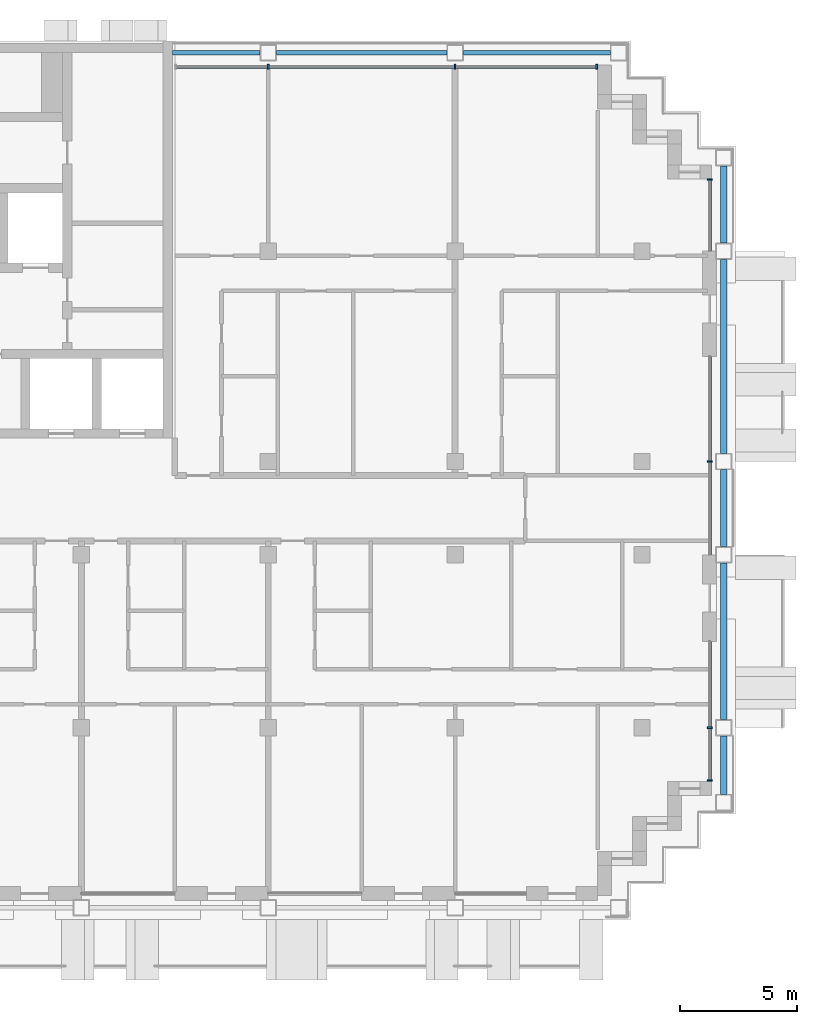
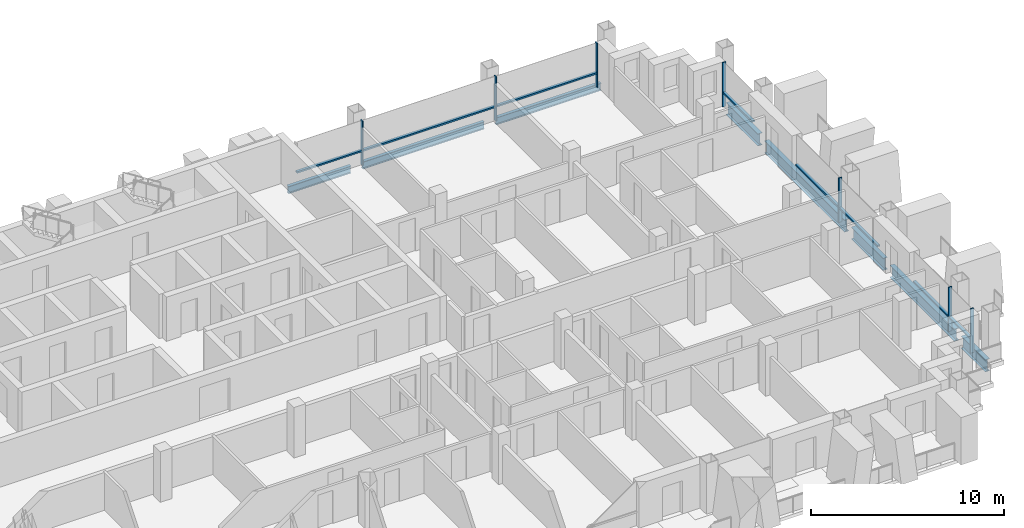
# One storey, part 5 of 16: 15 members, 8 beams, 4 elements without a shape of their own.
"""IFC4 building model written with IfcOpenShell, lengths in metres."""

import ifcopenshell
import ifcopenshell.guid

model = None  # the IFC model being written
_history = None  # IfcOwnerHistory: only IFC2X3 demands one
_inside = {}  # id of a spatial element -> (the spatial element, [elements in it])
_under = {}  # id of a project, library or spatial element -> (it, [spatial elements below it])
_declared = {}  # id of a project -> (the project, [libraries it declares])
_typed = {}  # id of a type object -> (the type object, [elements of that type])
_made_of = {}  # id of a material, layer set ... -> (it, [elements and type objects made of it])


def new_model(schema):
    """Start an empty IFC model of exactly this schema.

    Asked for "IFC4X3", IfcOpenShell would pick the latest addendum, in which some entities
    have other attributes; the version numbers below select the first issue.
    IFC2X3 requires an IfcOwnerHistory on every rooted entity: one is made here for all.
    """
    global model, _history
    if schema == "IFC4X3":
        model = ifcopenshell.file(schema_version=(4, 3, 0, 0))
    else:
        model = ifcopenshell.file(schema=schema)
    _inside.clear()
    _under.clear()
    _declared.clear()
    _typed.clear()
    _made_of.clear()
    _history = None
    if model.schema == "IFC2X3":
        org = make("IfcOrganization", Name="unknown")
        user = make(
            "IfcPersonAndOrganization",
            ThePerson=make("IfcPerson", FamilyName="unknown"),
            TheOrganization=org,
        )
        app = make(
            "IfcApplication",
            ApplicationDeveloper=org,
            Version="unknown",
            ApplicationFullName="unknown",
            ApplicationIdentifier="unknown",
        )
        _history = make(
            "IfcOwnerHistory",
            OwningUser=user,
            OwningApplication=app,
            ChangeAction="ADDED",
            CreationDate=0,
        )
    return model


def make(cls, **values):
    """One entity of the class cls with the attributes given. An attribute that is None is left unset."""
    return model.create_entity(
        cls, **{name: value for name, value in values.items() if value is not None}
    )


def rooted(cls, **values):
    """An entity with a GlobalId (a new one), such as an element, a storey or a relation."""
    return make(cls, GlobalId=ifcopenshell.guid.new(), OwnerHistory=_history, **values)


def si_unit(unit_type, name, prefix=None):
    """IfcSIUnit, for example si_unit("LENGTHUNIT", "METRE", prefix="MILLI")."""
    return make("IfcSIUnit", UnitType=unit_type, Prefix=prefix, Name=name)


def assignment(units):
    """IfcUnitAssignment: the units of a project."""
    return None if units is None else make("IfcUnitAssignment", Units=units)


def point(xyz):
    """IfcCartesianPoint."""
    return None if xyz is None else make("IfcCartesianPoint", Coordinates=xyz)


def direction(xyz):
    """IfcDirection."""
    return None if xyz is None else make("IfcDirection", DirectionRatios=xyz)


def frame(location, z_axis=None, x_axis=None):
    """IfcAxis2Placement3D, a coordinate frame: its origin and axes. An axis left out is left unset."""
    return make(
        "IfcAxis2Placement3D",
        Location=point(location),
        Axis=direction(z_axis),
        RefDirection=direction(x_axis),
    )


def frame_2d(location, x_axis=None):
    """IfcAxis2Placement2D, a coordinate frame in the plane: its origin and x axis."""
    return make(
        "IfcAxis2Placement2D", Location=point(location), RefDirection=direction(x_axis)
    )


def origin():
    """The frame at (0, 0, 0) with its axes left unset."""
    return frame((0.0, 0.0, 0.0))


def origin_2d():
    """The frame at (0, 0) in the plane with its x axis left unset."""
    return frame_2d((0.0, 0.0))


def place(relative_to, where):
    """IfcLocalPlacement: puts the frame where relative to a parent placement (None: the world)."""
    return make(
        "IfcLocalPlacement", PlacementRelTo=relative_to, RelativePlacement=where
    )


def context(
    kind, dimensions, precision=None, world=None, true_north=None, identifier=None
):
    """IfcGeometricRepresentationContext, for example the 3D "Model" context."""
    return make(
        "IfcGeometricRepresentationContext",
        ContextIdentifier=identifier,
        ContextType=kind,
        CoordinateSpaceDimension=dimensions,
        Precision=precision,
        WorldCoordinateSystem=world,
        TrueNorth=true_north,
    )


def subcontext(parent, identifier, kind, view, scale=None):
    """IfcGeometricRepresentationSubContext, for example "Body" below "Model"."""
    return make(
        "IfcGeometricRepresentationSubContext",
        ContextIdentifier=identifier,
        ContextType=kind,
        ParentContext=parent,
        TargetScale=scale,
        TargetView=view,
    )


def project(units=None, contexts=None):
    """IfcProject with its units and contexts."""
    return rooted(
        "IfcProject",
        Name="project",
        RepresentationContexts=contexts,
        UnitsInContext=assignment(units),
    )


def spatial(cls, under=None, at=None, **own):
    """A site, building, storey or space (cls), placed at a placement, below another one or the project."""
    s = rooted(cls, ObjectPlacement=at, **own)
    if under is not None:
        _under.setdefault(under.id(), (under, []))[1].append(s)
    return s


def profile(cls, at=None, kind="AREA", **sizes):
    """A parametric profile (cls). Its sizes go by their IFC names, for example OverallWidth=200.0."""
    return make(cls, ProfileType=kind, Position=at, **sizes)


def rectangle(**sizes):
    """IfcRectangleProfileDef."""
    return profile("IfcRectangleProfileDef", **sizes)


def i_section(**sizes):
    """IfcIShapeProfileDef."""
    return profile("IfcIShapeProfileDef", **sizes)


def extrude(swept, where, along, depth):
    """IfcExtrudedAreaSolid: the profile swept, set in the frame where, extruded along a direction by depth."""
    return make(
        "IfcExtrudedAreaSolid",
        SweptArea=swept,
        Position=where,
        ExtrudedDirection=direction(along),
        Depth=depth,
    )


def shape(context_of_items, identifier, shape_type, items):
    """IfcShapeRepresentation: the items that make up one representation, for example the "Body"."""
    return make(
        "IfcShapeRepresentation",
        ContextOfItems=context_of_items,
        RepresentationIdentifier=identifier,
        RepresentationType=shape_type,
        Items=items,
    )


def material(Name=None, Category=None):
    """IfcMaterial."""
    return make("IfcMaterial", Name=Name, Category=Category)


def material_profile(
    of_material, cross_section, Name=None, Category=None, Priority=None
):
    """IfcMaterialProfile: a cross section and its material."""
    return make(
        "IfcMaterialProfile",
        Name=Name,
        Material=of_material,
        Profile=cross_section,
        Priority=Priority,
        Category=Category,
    )


def profile_set(profiles, Name=None, composite=None):
    """IfcMaterialProfileSet."""
    return make(
        "IfcMaterialProfileSet",
        Name=Name,
        MaterialProfiles=profiles,
        CompositeProfile=composite,
    )


def made_of(thing, what):
    """Note that an element or type object is made of a material, layer set ...; save() writes the relation."""
    if what is not None:
        _made_of.setdefault(what.id(), (what, []))[1].append(thing)
    return thing


def type_object(cls, material=None, **own):
    """A type object (cls), such as IfcWallType, which elements share."""
    return made_of(rooted(cls, **own), material)


def element(
    cls,
    number,
    at=None,
    inside=None,
    cuts=None,
    type_object=None,
    material=None,
    context=None,
    identifier="Body",
    shape_type=None,
    held_by="IfcProductDefinitionShape",
    body=None,
    shapes=None,
    **own,
):
    """One element of the class cls, such as IfcWall. Its Tag is "e" and its number.

    at: its placement. inside: the storey or other place that contains it. cuts: it is an
    opening in that element (IfcRelVoidsElement). A single representation is given by context,
    identifier, shape_type and body (its items); several are given by shapes. held_by: the class
    of the entity that holds the representations. save() writes the other relations.
    """
    e = rooted(cls, Tag="e%d" % number, ObjectPlacement=at, **own)
    if body is not None:
        shapes = [shape(context, identifier, shape_type, body)]
    if shapes is not None:
        e.Representation = make(held_by, Representations=shapes)
    if inside is not None:
        _inside.setdefault(inside.id(), (inside, []))[1].append(e)
    if cuts is not None:
        rooted(
            "IfcRelVoidsElement", RelatingBuildingElement=cuts, RelatedOpeningElement=e
        )
    if type_object is not None:
        _typed.setdefault(type_object.id(), (type_object, []))[1].append(e)
    return made_of(e, material)


def aggregate(whole, parts):
    """IfcRelAggregates: a whole, such as a stair, and the parts it consists of."""
    return rooted("IfcRelAggregates", RelatingObject=whole, RelatedObjects=parts)


def save(model, path):
    """Write the relations noted so far, then the file.

    IfcRelAggregates (storeys below a building ...), IfcRelContainedInSpatialStructure (elements
    in a storey), IfcRelDefinesByType, IfcRelAssociatesMaterial and IfcRelDeclares: one each for
    every whole, place, type object, material and project.
    """
    for whole, parts in _under.values():
        aggregate(whole, parts)
    for where, things in _inside.values():
        rooted(
            "IfcRelContainedInSpatialStructure",
            RelatedElements=things,
            RelatingStructure=where,
        )
    for kind, things in _typed.values():
        rooted("IfcRelDefinesByType", RelatedObjects=things, RelatingType=kind)
    for what, things in _made_of.values():
        rooted("IfcRelAssociatesMaterial", RelatedObjects=things, RelatingMaterial=what)
    for by, libraries in _declared.values():
        rooted("IfcRelDeclares", RelatingContext=by, RelatedDefinitions=libraries)
    model.write(path)


model = new_model("IFC4")

# Units and contexts
model_context = context("Model", 3, precision=1e-05, world=origin(), true_north=direction((0.0, 1.0)))
body_context = subcontext(model_context, "Body", "Model", "MODEL_VIEW")
ifc_project = project(units=[si_unit("LENGTHUNIT", "METRE"), si_unit("AREAUNIT", "SQUARE_METRE"), si_unit("VOLUMEUNIT", "CUBIC_METRE"), si_unit("PLANEANGLEUNIT", "RADIAN"), si_unit("MASSUNIT", "GRAM", prefix="KILO")], contexts=[model_context])

# Site, building, storey
site_placement = place(None, origin())
site = spatial("IfcSite", under=ifc_project, at=site_placement, CompositionType="ELEMENT")
building_placement = place(site_placement, origin())
building = spatial("IfcBuilding", under=site, at=building_placement, Name="Vidyagriha Tower", CompositionType="ELEMENT")
storey_placement = place(building_placement, frame((0.0, 0.0, 190.89990234375)))
storey = spatial("IfcBuildingStorey", under=building, at=storey_placement, Name="L50", CompositionType="ELEMENT", Elevation=190.89990234375)

# Beams
ifc_material_1 = material(Name="Steel ASTM A992 Grade 50", Category="steel")
ifc_material_profile_1 = material_profile(ifc_material_1, i_section(OverallWidth=0.2666015625, OverallDepth=0.76953125, WebThickness=0.015625, FlangeThickness=0.025390625, at=origin_2d()), Name="W30X132")
ifc_profile_set_1 = profile_set([ifc_material_profile_1], Name="Steel ASTM A992 Grade 50")
beam_type_1 = type_object("IfcBeamType", Name="Cantilever edge beam W30X132", PredefinedType="SPANDREL", material=ifc_profile_set_1)
beam_1_placement = place(storey_placement, frame((37.5, -12.25, -0.664794921875), z_axis=(0.0, 1.0, 0.0), x_axis=(-1.0, 0.0, 0.0)))
element("IfcBeam", 1, at=beam_1_placement, inside=storey, type_object=beam_type_1, Name="st-beam-L50-E13", PredefinedType="SPANDREL", context=body_context, shape_type="SweptSolid", body=[
    extrude(i_section(OverallWidth=0.2666015625, OverallDepth=0.76953125, WebThickness=0.015625, FlangeThickness=0.025390625, at=origin_2d()), origin(), (0.0, 0.0, 1.0), 2.5),
])
beam_2_placement = place(storey_placement, frame((37.5, -9.050048828125, -0.664794921875), z_axis=(0.0, 1.0, 0.0), x_axis=(-1.0, 0.0, 0.0)))
element("IfcBeam", 2, at=beam_2_placement, inside=storey, type_object=beam_type_1, Name="st-beam-L50-E14", PredefinedType="SPANDREL", context=body_context, shape_type="SweptSolid", body=[
    extrude(i_section(OverallWidth=0.2666015625, OverallDepth=0.76953125, WebThickness=0.015625, FlangeThickness=0.025390625, at=origin_2d()), origin(), (0.0, 0.0, 1.0), 6.699951171875),
])
beam_3_placement = place(storey_placement, frame((37.5, -1.64990234375, -0.664794921875), z_axis=(0.0, 1.0, 0.0), x_axis=(-1.0, 0.0, 0.0)))
element("IfcBeam", 3, at=beam_3_placement, inside=storey, type_object=beam_type_1, Name="st-beam-L50-E15", PredefinedType="SPANDREL", context=body_context, shape_type="SweptSolid", body=[
    extrude(i_section(OverallWidth=0.2666015625, OverallDepth=0.76953125, WebThickness=0.015625, FlangeThickness=0.025390625, at=origin_2d()), origin(), (0.0, 0.0, 1.0), 3.2998046875),
])
beam_4_placement = place(storey_placement, frame((37.5, 2.35009765625, -0.664794921875), z_axis=(0.0, 1.0, 0.0), x_axis=(-1.0, 0.0, 0.0)))
element("IfcBeam", 4, at=beam_4_placement, inside=storey, type_object=beam_type_1, Name="st-beam-L50-E16", PredefinedType="SPANDREL", context=body_context, shape_type="SweptSolid", body=[
    extrude(i_section(OverallWidth=0.2666015625, OverallDepth=0.76953125, WebThickness=0.015625, FlangeThickness=0.025390625, at=origin_2d()), origin(), (0.0, 0.0, 1.0), 8.2998046875),
])
beam_5_placement = place(storey_placement, frame((37.5, 11.35009765625, -0.664794921875), z_axis=(0.0, 1.0, 0.0), x_axis=(-1.0, 0.0, 0.0)))
element("IfcBeam", 5, at=beam_5_placement, inside=storey, type_object=beam_type_1, Name="st-beam-L50-E17", PredefinedType="SPANDREL", context=body_context, shape_type="SweptSolid", body=[
    extrude(i_section(OverallWidth=0.2666015625, OverallDepth=0.76953125, WebThickness=0.015625, FlangeThickness=0.025390625, at=origin_2d()), origin(), (0.0, 0.0, 1.0), 3.2998046875),
])
ifc_material_2 = material(Name="Steel ASTM A992 Grade 50", Category="steel")
ifc_material_profile_2 = material_profile(ifc_material_2, i_section(OverallWidth=0.19189453125, OverallDepth=0.46240234375, WebThickness=0.010498046875, FlangeThickness=0.017578125, at=origin_2d()), Name="W18X60")
ifc_profile_set_2 = profile_set([ifc_material_profile_2], Name="Steel ASTM A992 Grade 50")
beam_type_2 = type_object("IfcBeamType", Name="Edge beam W18X60", PredefinedType="SPANDREL", material=ifc_profile_set_2)
beam_6_placement = place(storey_placement, frame((18.35009765625, 19.5, -0.510986328125), z_axis=(1.0, 0.0, 0.0), x_axis=(0.0, 1.0, 0.0)))
element("IfcBeam", 6, at=beam_6_placement, inside=storey, type_object=beam_type_2, Name="st-beam-L50-NE18", PredefinedType="SPANDREL", context=body_context, shape_type="SweptSolid", body=[
    extrude(i_section(OverallWidth=0.19189453125, OverallDepth=0.46240234375, WebThickness=0.010498046875, FlangeThickness=0.017578125, at=origin_2d()), origin(), (0.0, 0.0, 1.0), 7.2998046875),
])
beam_7_placement = place(storey_placement, frame((26.35009765625, 19.5, -0.510986328125), z_axis=(1.0, 0.0, 0.0), x_axis=(0.0, 1.0, 0.0)))
element("IfcBeam", 7, at=beam_7_placement, inside=storey, type_object=beam_type_2, Name="st-beam-L50-NE19", PredefinedType="SPANDREL", context=body_context, shape_type="SweptSolid", body=[
    extrude(i_section(OverallWidth=0.19189453125, OverallDepth=0.46240234375, WebThickness=0.010498046875, FlangeThickness=0.017578125, at=origin_2d()), origin(), (0.0, 0.0, 1.0), 6.2998046875),
])
beam_8_placement = place(storey_placement, frame((13.89990234375, 19.5, -0.510986328125), z_axis=(1.0, 0.0, 0.0), x_axis=(0.0, 1.0, 0.0)))
element("IfcBeam", 8, at=beam_8_placement, inside=storey, type_object=beam_type_2, Name="st-beam-L50-NC21", PredefinedType="SPANDREL", context=body_context, shape_type="SweptSolid", body=[
    extrude(i_section(OverallWidth=0.19189453125, OverallDepth=0.46240234375, WebThickness=0.010498046875, FlangeThickness=0.017578125, at=origin_2d()), origin(), (0.0, 0.0, 1.0), 3.75),
])

# Curtain wall, members
ifc_material_3 = material(Name="Aluminium and glass curtain wall", Category="aluminium")
curtain_wall_type = type_object("IfcCurtainWallType", Name="Dwelling skin unitised curtain wall", PredefinedType="USERDEFINED", material=ifc_material_3)
curtain_wall_1_placement = place(storey_placement, origin())
curtain_wall_1 = element("IfcCurtainWall", 9, at=curtain_wall_1_placement, inside=storey, type_object=curtain_wall_type, Name="CW1 dwelling skin", ObjectType="UNITISED", PredefinedType="USERDEFINED")
ifc_material_4 = material(Name="Aluminium black anodised", Category="aluminium")
ifc_material_profile_3 = material_profile(ifc_material_4, rectangle(XDim=0.199951171875, YDim=0.070068359375, at=origin_2d()), Name="Mullion 70x200 black aluminium")
ifc_profile_set_3 = profile_set([ifc_material_profile_3], Name="Aluminium black anodised")
member_type_1 = type_object("IfcMemberType", Name="Mullion 70x200 black aluminium", PredefinedType="MULLION", material=ifc_profile_set_3)
member_1_placement = place(storey_placement, frame((32.06494140625, 18.89990234375, 0.0), z_axis=(0.0, 0.0, 1.0), x_axis=(0.0, -1.0, 0.0)))
member_1 = element("IfcMember", 10, at=member_1_placement, type_object=member_type_1, Name="CW1 mullion 1", PredefinedType="MULLION", context=body_context, shape_type="SweptSolid", body=[
    extrude(rectangle(XDim=0.199951171875, YDim=0.070068359375, at=origin_2d()), origin(), (0.0, 0.0, 1.0), 2.800048828125),
])
member_2_placement = place(storey_placement, frame((26.0, 18.89990234375, 0.0), z_axis=(0.0, 0.0, 1.0), x_axis=(0.0, -1.0, 0.0)))
member_2 = element("IfcMember", 11, at=member_2_placement, type_object=member_type_1, Name="CW1 mullion 2", PredefinedType="MULLION", context=body_context, shape_type="SweptSolid", body=[
    extrude(rectangle(XDim=0.199951171875, YDim=0.070068359375, at=origin_2d()), origin(), (0.0, 0.0, 1.0), 2.800048828125),
])
member_3_placement = place(storey_placement, frame((18.0, 18.89990234375, 0.0), z_axis=(0.0, 0.0, 1.0), x_axis=(0.0, -1.0, 0.0)))
member_3 = element("IfcMember", 12, at=member_3_placement, type_object=member_type_1, Name="CW1 mullion 3", PredefinedType="MULLION", context=body_context, shape_type="SweptSolid", body=[
    extrude(rectangle(XDim=0.199951171875, YDim=0.070068359375, at=origin_2d()), origin(), (0.0, 0.0, 1.0), 2.800048828125),
])

curtain_wall_2_placement = place(storey_placement, origin())
curtain_wall_2 = element("IfcCurtainWall", 13, at=curtain_wall_2_placement, inside=storey, type_object=curtain_wall_type, Name="CW1 dwelling skin", ObjectType="UNITISED", PredefinedType="USERDEFINED")
member_4_placement = place(storey_placement, frame((36.89990234375, -11.6650390625, 0.0), z_axis=(0.0, 0.0, 1.0), x_axis=(-1.0, 0.0, 0.0)))
member_4 = element("IfcMember", 14, at=member_4_placement, type_object=member_type_1, Name="CW1 mullion 1", PredefinedType="MULLION", context=body_context, shape_type="SweptSolid", body=[
    extrude(rectangle(XDim=0.199951171875, YDim=0.070068359375, at=origin_2d()), origin(), (0.0, 0.0, 1.0), 2.800048828125),
])
member_5_placement = place(storey_placement, frame((36.89990234375, -9.39990234375, 0.0), z_axis=(0.0, 0.0, 1.0), x_axis=(-1.0, 0.0, 0.0)))
member_5 = element("IfcMember", 15, at=member_5_placement, type_object=member_type_1, Name="CW1 mullion 2", PredefinedType="MULLION", context=body_context, shape_type="SweptSolid", body=[
    extrude(rectangle(XDim=0.199951171875, YDim=0.070068359375, at=origin_2d()), origin(), (0.0, 0.0, 1.0), 2.800048828125),
])

# Curtain wall, member
curtain_wall_3_placement = place(storey_placement, origin())
curtain_wall_3 = element("IfcCurtainWall", 16, at=curtain_wall_3_placement, inside=storey, type_object=curtain_wall_type, Name="CW1 dwelling skin", ObjectType="UNITISED", PredefinedType="USERDEFINED")
member_6_placement = place(storey_placement, frame((36.89990234375, 2.0, 0.0), z_axis=(0.0, 0.0, 1.0), x_axis=(-1.0, 0.0, 0.0)))
member_6 = element("IfcMember", 17, at=member_6_placement, type_object=member_type_1, Name="CW1 mullion 2", PredefinedType="MULLION", context=body_context, shape_type="SweptSolid", body=[
    extrude(rectangle(XDim=0.199951171875, YDim=0.070068359375, at=origin_2d()), origin(), (0.0, 0.0, 1.0), 2.800048828125),
])

curtain_wall_4_placement = place(storey_placement, origin())
curtain_wall_4 = element("IfcCurtainWall", 18, at=curtain_wall_4_placement, inside=storey, type_object=curtain_wall_type, Name="CW1 dwelling skin", ObjectType="UNITISED", PredefinedType="USERDEFINED")
member_7_placement = place(storey_placement, frame((36.89990234375, 14.06494140625, 0.0), z_axis=(0.0, 0.0, 1.0), x_axis=(-1.0, 0.0, 0.0)))
member_7 = element("IfcMember", 19, at=member_7_placement, type_object=member_type_1, Name="CW1 mullion 2", PredefinedType="MULLION", context=body_context, shape_type="SweptSolid", body=[
    extrude(rectangle(XDim=0.199951171875, YDim=0.070068359375, at=origin_2d()), origin(), (0.0, 0.0, 1.0), 2.800048828125),
])

# Member
ifc_material_5 = material(Name="Aluminium black anodised", Category="aluminium")
ifc_material_profile_4 = material_profile(ifc_material_5, rectangle(XDim=0.159912109375, YDim=0.10009765625, at=origin_2d()), Name="Transom 100x160 black aluminium")
ifc_profile_set_4 = profile_set([ifc_material_profile_4], Name="Aluminium black anodised")
member_type_2 = type_object("IfcMemberType", Name="Transom 100x160 black aluminium", PredefinedType="USERDEFINED", material=ifc_profile_set_4)
member_8_placement = place(storey_placement, frame((32.030029296875, 18.89990234375, 0.900146484375), z_axis=(-1.0, 0.0, 0.0), x_axis=(0.0, -1.0, 0.0)))
member_8 = element("IfcMember", 20, at=member_8_placement, type_object=member_type_2, Name="CW1 transom 1.1", ObjectType="TRANSOM", PredefinedType="USERDEFINED", context=body_context, shape_type="SweptSolid", body=[
    extrude(rectangle(XDim=0.159912109375, YDim=0.10009765625, at=origin_2d()), origin(), (0.0, 0.0, 1.0), 5.9951171875),
])

member_9_placement = place(storey_placement, frame((25.965087890625, 18.89990234375, 0.900146484375), z_axis=(-1.0, 0.0, 0.0), x_axis=(0.0, -1.0, 0.0)))
member_9 = element("IfcMember", 21, at=member_9_placement, type_object=member_type_2, Name="CW1 transom 2.1", ObjectType="TRANSOM", PredefinedType="USERDEFINED", context=body_context, shape_type="SweptSolid", body=[
    extrude(rectangle(XDim=0.159912109375, YDim=0.10009765625, at=origin_2d()), origin(), (0.0, 0.0, 1.0), 7.93017578125),
])

member_10_placement = place(storey_placement, frame((17.965087890625, 18.89990234375, 0.900146484375), z_axis=(-1.0, 0.0, 0.0), x_axis=(0.0, -1.0, 0.0)))
member_10 = element("IfcMember", 22, at=member_10_placement, type_object=member_type_2, Name="CW1 transom 3.1", ObjectType="TRANSOM", PredefinedType="USERDEFINED", context=body_context, shape_type="SweptSolid", body=[
    extrude(rectangle(XDim=0.159912109375, YDim=0.10009765625, at=origin_2d()), origin(), (0.0, 0.0, 1.0), 3.89501953125),
])

aggregate(curtain_wall_1, [member_1, member_2, member_3, member_8, member_9, member_10])

member_11_placement = place(storey_placement, frame((36.89990234375, -11.6298828125, 0.900146484375), z_axis=(0.0, 1.0, 0.0), x_axis=(-1.0, 0.0, 0.0)))
member_11 = element("IfcMember", 23, at=member_11_placement, type_object=member_type_2, Name="CW1 transom 1.1", ObjectType="TRANSOM", PredefinedType="USERDEFINED", context=body_context, shape_type="SweptSolid", body=[
    extrude(rectangle(XDim=0.159912109375, YDim=0.10009765625, at=origin_2d()), origin(), (0.0, 0.0, 1.0), 2.19482421875),
])

member_12_placement = place(storey_placement, frame((36.89990234375, -9.364990234375, 0.900146484375), z_axis=(0.0, 1.0, 0.0), x_axis=(-1.0, 0.0, 0.0)))
member_12 = element("IfcMember", 24, at=member_12_placement, type_object=member_type_2, Name="CW1 transom 2.1", ObjectType="TRANSOM", PredefinedType="USERDEFINED", context=body_context, shape_type="SweptSolid", body=[
    extrude(rectangle(XDim=0.159912109375, YDim=0.10009765625, at=origin_2d()), origin(), (0.0, 0.0, 1.0), 3.6650390625),
])

aggregate(curtain_wall_2, [member_4, member_5, member_11, member_12])

member_13_placement = place(storey_placement, frame((36.89990234375, -2.0, 0.900146484375), z_axis=(0.0, 1.0, 0.0), x_axis=(-1.0, 0.0, 0.0)))
member_13 = element("IfcMember", 25, at=member_13_placement, type_object=member_type_2, Name="CW1 transom 1.1", ObjectType="TRANSOM", PredefinedType="USERDEFINED", context=body_context, shape_type="SweptSolid", body=[
    extrude(rectangle(XDim=0.159912109375, YDim=0.10009765625, at=origin_2d()), origin(), (0.0, 0.0, 1.0), 3.965087890625),
])

member_14_placement = place(storey_placement, frame((36.89990234375, 2.034912109375, 0.900146484375), z_axis=(0.0, 1.0, 0.0), x_axis=(-1.0, 0.0, 0.0)))
member_14 = element("IfcMember", 26, at=member_14_placement, type_object=member_type_2, Name="CW1 transom 2.1", ObjectType="TRANSOM", PredefinedType="USERDEFINED", context=body_context, shape_type="SweptSolid", body=[
    extrude(rectangle(XDim=0.159912109375, YDim=0.10009765625, at=origin_2d()), origin(), (0.0, 0.0, 1.0), 4.465087890625),
])

aggregate(curtain_wall_3, [member_6, member_13, member_14])

member_15_placement = place(storey_placement, frame((36.89990234375, 11.0, 0.900146484375), z_axis=(0.0, 1.0, 0.0), x_axis=(-1.0, 0.0, 0.0)))
member_15 = element("IfcMember", 27, at=member_15_placement, type_object=member_type_2, Name="CW1 transom 1.1", ObjectType="TRANSOM", PredefinedType="USERDEFINED", context=body_context, shape_type="SweptSolid", body=[
    extrude(rectangle(XDim=0.159912109375, YDim=0.10009765625, at=origin_2d()), origin(), (0.0, 0.0, 1.0), 3.030029296875),
])

aggregate(curtain_wall_4, [member_7, member_15])

save(model, "model.ifc")
